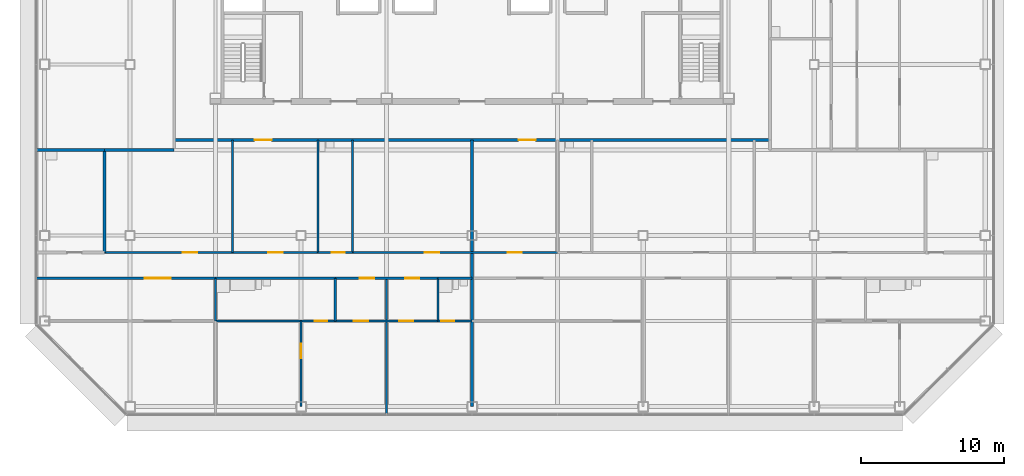
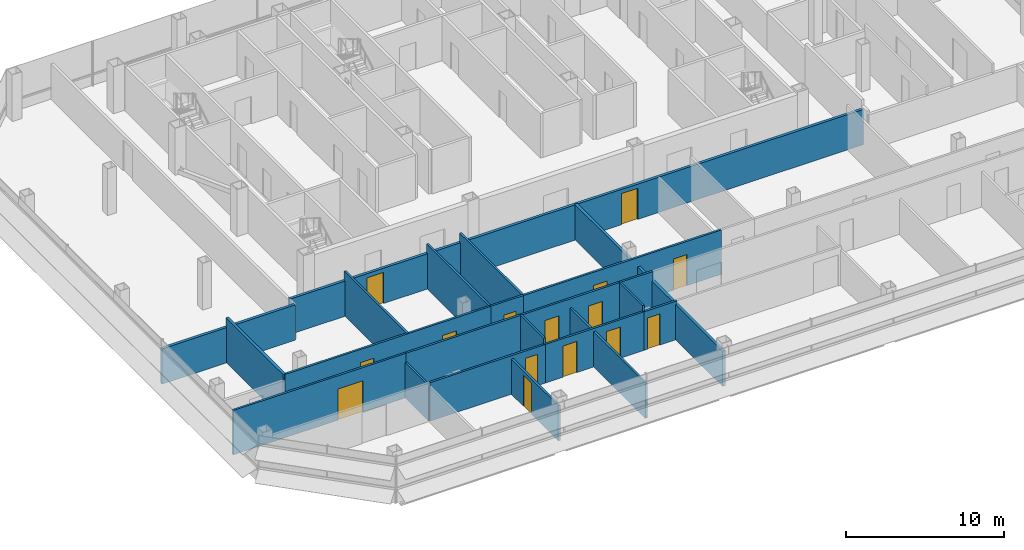
# One storey, part 19 of 26: 23 walls, 15 doors, 15 openings.
"""IFC4 building model written with IfcOpenShell, lengths in metres."""

from ifc_helpers import new_model, si_unit, direction, frame, frame_2d, origin, place, context, subcontext, project, spatial, rectangle, extrude, material, layer, layer_set, type_object, element, fill, save


model = new_model("IFC4")

# Units and contexts
model_context = context("Model", 3, precision=1e-05, world=origin(), true_north=direction((0.0, 1.0)))
body_context = subcontext(model_context, "Body", "Model", "MODEL_VIEW")
ifc_project = project(units=[si_unit("LENGTHUNIT", "METRE"), si_unit("AREAUNIT", "SQUARE_METRE"), si_unit("VOLUMEUNIT", "CUBIC_METRE"), si_unit("PLANEANGLEUNIT", "RADIAN"), si_unit("MASSUNIT", "GRAM", prefix="KILO")], contexts=[model_context])

# Site, building, storey
site_placement = place(None, origin())
site = spatial("IfcSite", under=ifc_project, at=site_placement, CompositionType="ELEMENT")
building_placement = place(site_placement, origin())
building = spatial("IfcBuilding", under=site, at=building_placement, Name="Sorahane Residences", CompositionType="ELEMENT")
storey_placement = place(building_placement, frame((0.0, 0.0, 147.39990234375)))
storey = spatial("IfcBuildingStorey", under=building, at=storey_placement, Name="L33", CompositionType="ELEMENT", Elevation=147.39990234375)

# Wall
ifc_material_1 = material(Name="Concrete blockwork C20 wall", Category="masonry")
ifc_layer_1 = layer(ifc_material_1, 0.199951171875)
ifc_layer_set_1 = layer_set([ifc_layer_1], Name="Corridor wall 200 EI 120")
wall_type_1 = type_object("IfcWallType", Name="Corridor wall 200 EI 120", PredefinedType="SOLIDWALL", material=ifc_layer_set_1)
wall_1_placement = place(storey_placement, frame((-1.800048828125, 18.0, 0.0), z_axis=(0.0, 0.0, 1.0), x_axis=(1.0, 0.0, 0.0)))
element("IfcWall", 1, at=wall_1_placement, inside=storey, type_object=wall_type_1, Name="L33 corridor wall", PredefinedType="SOLIDWALL", context=body_context, shape_type="SweptSolid", body=[
    extrude(rectangle(XDim=4.900146484375, YDim=0.199951171875, at=frame_2d((2.4501953125, 0.0))), origin(), (0.0, 0.0, 1.0), 2.72021484375),
])

# Wall, openings, doors
wall_2_placement = place(storey_placement, frame((3.10009765625, 18.699951171875, 0.0), z_axis=(0.0, 0.0, 1.0), x_axis=(1.0, 0.0, 0.0)))
wall_2 = element("IfcWall", 2, at=wall_2_placement, inside=storey, type_object=wall_type_1, Name="L33 corridor wall", PredefinedType="SOLIDWALL", context=body_context, shape_type="SweptSolid", body=[
    extrude(rectangle(XDim=41.7998046875, YDim=0.199951171875, at=frame_2d((20.89990234375, 0.0))), origin(), (0.0, 0.0, 1.0), 2.72021484375),
])
opening_1_placement = place(wall_2_placement, frame((5.639892578125, 0.0, 0.0)))
opening_1 = element("IfcOpeningElement", 3, at=opening_1_placement, cuts=wall_2, Name="Opening L33-42", PredefinedType="OPENING", context=body_context, shape_type="SweptSolid", body=[
    extrude(rectangle(XDim=1.199951171875, YDim=2.39990234375, at=frame_2d((0.60009765625, 1.199951171875))), frame((0.0, 0.10986328125, 0.0), z_axis=(0.0, -1.0, 0.0), x_axis=(1.0, 0.0, 0.0)), (0.0, 0.0, 1.0), 0.219970703125),
])
opening_2_placement = place(wall_2_placement, frame((24.159912109375, 0.0, 0.0)))
opening_2 = element("IfcOpeningElement", 4, at=opening_2_placement, cuts=wall_2, Name="Opening L33-43", PredefinedType="OPENING", context=body_context, shape_type="SweptSolid", body=[
    extrude(rectangle(XDim=1.199951171875, YDim=2.39990234375, at=frame_2d((0.60009765625, 1.199951171875))), frame((0.0, 0.10986328125, 0.0), z_axis=(0.0, -1.0, 0.0), x_axis=(1.0, 0.0, 0.0)), (0.0, 0.0, 1.0), 0.219970703125),
])
ifc_material_2 = material(Name="Timber veneered fire door", Category="wood")
door_type_1 = type_object("IfcDoorType", Name="Flat entrance door 1200x2400 FD60", OperationType="NOTDEFINED", PredefinedType="DOOR", material=ifc_material_2)
door_1_placement = place(opening_1_placement, frame((1.199951171875, 0.0, 0.0), z_axis=(0.0, 0.0, 1.0), x_axis=(-1.0, 0.0, 0.0)))
door_1 = element("IfcDoor", 5, at=door_1_placement, inside=storey, type_object=door_type_1, Name="Flat entrance door L33-42", OperationType="SINGLE_SWING_LEFT", OverallHeight=2.39990234375, OverallWidth=1.199951171875, PredefinedType="DOOR", context=body_context, shape_type="SweptSolid", body=[
    extrude(rectangle(XDim=1.199951171875, YDim=2.39990234375, at=frame_2d((0.60009765625, 1.199951171875))), frame((0.0, 0.02490234375, 0.0), z_axis=(0.0, -1.0, 0.0), x_axis=(1.0, 0.0, 0.0)), (0.0, 0.0, 1.0), 0.050048828125),
])
fill(opening_1, door_1)
door_2_placement = place(opening_2_placement, frame((1.199951171875, 0.0, 0.0), z_axis=(0.0, 0.0, 1.0), x_axis=(-1.0, 0.0, 0.0)))
door_2 = element("IfcDoor", 6, at=door_2_placement, inside=storey, type_object=door_type_1, Name="Flat entrance door L33-43", OperationType="SINGLE_SWING_RIGHT", OverallHeight=2.39990234375, OverallWidth=1.199951171875, PredefinedType="DOOR", context=body_context, shape_type="SweptSolid", body=[
    extrude(rectangle(XDim=1.199951171875, YDim=2.39990234375, at=frame_2d((0.60009765625, 1.199951171875))), frame((0.0, 0.02490234375, 0.0), z_axis=(0.0, -1.0, 0.0), x_axis=(1.0, 0.0, 0.0)), (0.0, 0.0, 1.0), 0.050048828125),
])
fill(opening_2, door_2)

# Walls
ifc_material_3 = material(Name="Concrete blockwork C20 wall", Category="masonry")
ifc_layer_2 = layer(ifc_material_3, 0.199951171875)
ifc_layer_set_2 = layer_set([ifc_layer_2], Name="Kitchen wall 200 EI 180")
wall_type_2 = type_object("IfcWallType", Name="Kitchen wall 200 EI 180", PredefinedType="SOLIDWALL", material=ifc_layer_set_2)
wall_3_placement = place(storey_placement, frame((-1.800048828125, 10.800048828125, 0.0), z_axis=(0.0, 0.0, 1.0), x_axis=(0.0, 1.0, 0.0)))
element("IfcWall", 7, at=wall_3_placement, inside=storey, type_object=wall_type_2, Name="L33 kitchen wall", PredefinedType="SOLIDWALL", context=body_context, shape_type="SweptSolid", body=[
    extrude(rectangle(XDim=7.199951171875, YDim=0.199951171875, at=frame_2d((3.60009765625, 0.0))), origin(), (0.0, 0.0, 1.0), 3.420166015625),
])
wall_4_placement = place(storey_placement, frame((-6.60009765625, 18.0, 0.0), z_axis=(0.0, 0.0, 1.0), x_axis=(1.0, 0.0, 0.0)))
element("IfcWall", 8, at=wall_4_placement, inside=storey, type_object=wall_type_2, Name="L33 kitchen wall", PredefinedType="SOLIDWALL", context=body_context, shape_type="SweptSolid", body=[
    extrude(rectangle(XDim=4.800048828125, YDim=0.199951171875, at=frame_2d((2.39990234375, 0.0))), origin(), (0.0, 0.0, 1.0), 2.72021484375),
])

# Wall, opening, door
ifc_material_4 = material(Name="Gypsum board partition on steel studs", Category="steel")
ifc_layer_3 = layer(ifc_material_4, 0.14990234375)
ifc_layer_set_3 = layer_set([ifc_layer_3], Name="Partition 150 EI 90")
wall_type_3 = type_object("IfcWallType", Name="Partition 150 EI 90", PredefinedType="PARTITIONING", material=ifc_layer_set_3)
wall_5_placement = place(storey_placement, frame((12.0, 0.0, 0.0), z_axis=(0.0, 0.0, 1.0), x_axis=(0.0, 1.0, 0.0)))
wall_5 = element("IfcWall", 9, at=wall_5_placement, inside=storey, type_object=wall_type_3, Name="L33 partition", PredefinedType="PARTITIONING", context=body_context, shape_type="SweptSolid", body=[
    extrude(rectangle(XDim=6.0, YDim=0.14990234375, at=frame_2d((3.0, 0.0))), origin(), (0.0, 0.0, 1.0), 2.72021484375),
])
opening_3_placement = place(wall_5_placement, frame((3.39990234375, 0.0, 0.0)))
opening_3 = element("IfcOpeningElement", 10, at=opening_3_placement, cuts=wall_5, Name="Opening L33-11", PredefinedType="OPENING", context=body_context, shape_type="SweptSolid", body=[
    extrude(rectangle(XDim=1.0, YDim=2.39990234375, at=frame_2d((0.5, 1.199951171875))), frame((0.0, 0.0849609375, 0.0), z_axis=(0.0, -1.0, 0.0), x_axis=(1.0, 0.0, 0.0)), (0.0, 0.0, 1.0), 0.169921875),
])
ifc_material_5 = material(Name="Timber veneered fire door", Category="wood")
door_type_2 = type_object("IfcDoorType", Name="Room door 1000x2400 FD30", OperationType="NOTDEFINED", PredefinedType="DOOR", material=ifc_material_5)
door_3_placement = place(opening_3_placement, origin())
door_3 = element("IfcDoor", 11, at=door_3_placement, inside=storey, type_object=door_type_2, Name="Room door L33-11", OperationType="SINGLE_SWING_RIGHT", OverallHeight=2.39990234375, OverallWidth=1.0, PredefinedType="DOOR", context=body_context, shape_type="SweptSolid", body=[
    extrude(rectangle(XDim=1.0, YDim=2.39990234375, at=frame_2d((0.5, 1.199951171875))), frame((0.0, 0.02490234375, 0.0), z_axis=(0.0, -1.0, 0.0), x_axis=(1.0, 0.0, 0.0)), (0.0, 0.0, 1.0), 0.050048828125),
])
fill(opening_3, door_3)

# Walls
wall_6_placement = place(storey_placement, frame((18.0, -0.60009765625, 0.0), z_axis=(0.0, 0.0, 1.0), x_axis=(0.0, 1.0, 0.0)))
element("IfcWall", 12, at=wall_6_placement, inside=storey, type_object=wall_type_3, Name="L33 partition", PredefinedType="PARTITIONING", context=body_context, shape_type="SweptSolid", body=[
    extrude(rectangle(XDim=9.60009765625, YDim=0.14990234375, at=frame_2d((4.800048828125, 0.0))), origin(), (0.0, 0.0, 1.0), 2.72021484375),
])
wall_7_placement = place(storey_placement, frame((7.199951171875, 10.800048828125, 0.0), z_axis=(0.0, 0.0, 1.0), x_axis=(0.0, 1.0, 0.0)))
element("IfcWall", 13, at=wall_7_placement, inside=storey, type_object=wall_type_3, Name="L33 partition", PredefinedType="PARTITIONING", context=body_context, shape_type="SweptSolid", body=[
    extrude(rectangle(XDim=7.89990234375, YDim=0.14990234375, at=frame_2d((3.949951171875, 0.0))), origin(), (0.0, 0.0, 1.0), 3.420166015625),
])

# Wall, openings, doors
wall_8_placement = place(storey_placement, frame((-1.800048828125, 10.800048828125, 0.0), z_axis=(0.0, 0.0, 1.0), x_axis=(1.0, 0.0, 0.0)))
wall_8 = element("IfcWall", 14, at=wall_8_placement, inside=storey, type_object=wall_type_3, Name="L33 partition", PredefinedType="PARTITIONING", context=body_context, shape_type="SweptSolid", body=[
    extrude(rectangle(XDim=15.0, YDim=0.14990234375, at=frame_2d((7.5, 0.0))), origin(), (0.0, 0.0, 1.0), 3.420166015625),
])
opening_4_placement = place(wall_8_placement, frame((11.5, 0.0, 0.0)))
opening_4 = element("IfcOpeningElement", 15, at=opening_4_placement, cuts=wall_8, Name="Opening L33-01", PredefinedType="OPENING", context=body_context, shape_type="SweptSolid", body=[
    extrude(rectangle(XDim=1.0, YDim=2.39990234375, at=frame_2d((0.5, 1.199951171875))), frame((0.0, 0.0849609375, 0.0), z_axis=(0.0, -1.0, 0.0), x_axis=(1.0, 0.0, 0.0)), (0.0, 0.0, 1.0), 0.169921875),
])
opening_5_placement = place(wall_8_placement, frame((5.5, 0.0, 0.0)))
opening_5 = element("IfcOpeningElement", 16, at=opening_5_placement, cuts=wall_8, Name="Opening L33-03", PredefinedType="OPENING", context=body_context, shape_type="SweptSolid", body=[
    extrude(rectangle(XDim=1.0, YDim=2.39990234375, at=frame_2d((0.5, 1.199951171875))), frame((0.0, 0.0849609375, 0.0), z_axis=(0.0, -1.0, 0.0), x_axis=(1.0, 0.0, 0.0)), (0.0, 0.0, 1.0), 0.169921875),
])
door_4_placement = place(opening_4_placement, frame((1.0, 0.0, 0.0), z_axis=(0.0, 0.0, 1.0), x_axis=(-1.0, 0.0, 0.0)))
door_4 = element("IfcDoor", 17, at=door_4_placement, inside=storey, type_object=door_type_2, Name="Room door L33-01", OperationType="SINGLE_SWING_LEFT", OverallHeight=2.39990234375, OverallWidth=1.0, PredefinedType="DOOR", context=body_context, shape_type="SweptSolid", body=[
    extrude(rectangle(XDim=1.0, YDim=2.39990234375, at=frame_2d((0.5, 1.199951171875))), frame((0.0, 0.02490234375, 0.0), z_axis=(0.0, -1.0, 0.0), x_axis=(1.0, 0.0, 0.0)), (0.0, 0.0, 1.0), 0.050048828125),
])
fill(opening_4, door_4)
door_5_placement = place(opening_5_placement, origin())
door_5 = element("IfcDoor", 18, at=door_5_placement, inside=storey, type_object=door_type_2, Name="Room door L33-03", OperationType="SINGLE_SWING_RIGHT", OverallHeight=2.39990234375, OverallWidth=1.0, PredefinedType="DOOR", context=body_context, shape_type="SweptSolid", body=[
    extrude(rectangle(XDim=1.0, YDim=2.39990234375, at=frame_2d((0.5, 1.199951171875))), frame((0.0, 0.02490234375, 0.0), z_axis=(0.0, -1.0, 0.0), x_axis=(1.0, 0.0, 0.0)), (0.0, 0.0, 1.0), 0.050048828125),
])
fill(opening_5, door_5)

wall_9_placement = place(storey_placement, frame((15.60009765625, 10.800048828125, 0.0), z_axis=(0.0, 0.0, 1.0), x_axis=(1.0, 0.0, 0.0)))
wall_9 = element("IfcWall", 19, at=wall_9_placement, inside=storey, type_object=wall_type_3, Name="L33 partition", PredefinedType="PARTITIONING", context=body_context, shape_type="SweptSolid", body=[
    extrude(rectangle(XDim=14.39990234375, YDim=0.14990234375, at=frame_2d((7.199951171875, 0.0))), origin(), (0.0, 0.0, 1.0), 3.420166015625),
])
opening_6_placement = place(wall_9_placement, frame((5.080078125, 0.0, 0.0)))
opening_6 = element("IfcOpeningElement", 20, at=opening_6_placement, cuts=wall_9, Name="Opening L33-05", PredefinedType="OPENING", context=body_context, shape_type="SweptSolid", body=[
    extrude(rectangle(XDim=1.0, YDim=2.39990234375, at=frame_2d((0.5, 1.199951171875))), frame((0.0, 0.0849609375, 0.0), z_axis=(0.0, -1.0, 0.0), x_axis=(1.0, 0.0, 0.0)), (0.0, 0.0, 1.0), 0.169921875),
])
opening_7_placement = place(wall_9_placement, frame((10.89990234375, 0.0, 0.0)))
opening_7 = element("IfcOpeningElement", 21, at=opening_7_placement, cuts=wall_9, Name="Opening L33-15", PredefinedType="OPENING", context=body_context, shape_type="SweptSolid", body=[
    extrude(rectangle(XDim=1.0, YDim=2.39990234375, at=frame_2d((0.5, 1.199951171875))), frame((0.0, 0.0849609375, 0.0), z_axis=(0.0, -1.0, 0.0), x_axis=(1.0, 0.0, 0.0)), (0.0, 0.0, 1.0), 0.169921875),
])
door_6_placement = place(opening_6_placement, origin())
door_6 = element("IfcDoor", 22, at=door_6_placement, inside=storey, type_object=door_type_2, Name="Room door L33-05", OperationType="SINGLE_SWING_LEFT", OverallHeight=2.39990234375, OverallWidth=1.0, PredefinedType="DOOR", context=body_context, shape_type="SweptSolid", body=[
    extrude(rectangle(XDim=1.0, YDim=2.39990234375, at=frame_2d((0.5, 1.199951171875))), frame((0.0, 0.02490234375, 0.0), z_axis=(0.0, -1.0, 0.0), x_axis=(1.0, 0.0, 0.0)), (0.0, 0.0, 1.0), 0.050048828125),
])
fill(opening_6, door_6)
door_7_placement = place(opening_7_placement, frame((1.0, 0.0, 0.0), z_axis=(0.0, 0.0, 1.0), x_axis=(-1.0, 0.0, 0.0)))
door_7 = element("IfcDoor", 23, at=door_7_placement, inside=storey, type_object=door_type_2, Name="Room door L33-15", OperationType="SINGLE_SWING_RIGHT", OverallHeight=2.39990234375, OverallWidth=1.0, PredefinedType="DOOR", context=body_context, shape_type="SweptSolid", body=[
    extrude(rectangle(XDim=1.0, YDim=2.39990234375, at=frame_2d((0.5, 1.199951171875))), frame((0.0, 0.02490234375, 0.0), z_axis=(0.0, -1.0, 0.0), x_axis=(1.0, 0.0, 0.0)), (0.0, 0.0, 1.0), 0.050048828125),
])
fill(opening_7, door_7)

wall_10_placement = place(storey_placement, frame((14.39990234375, 6.0, 0.0), z_axis=(0.0, 0.0, 1.0), x_axis=(1.0, 0.0, 0.0)))
wall_10 = element("IfcWall", 24, at=wall_10_placement, inside=storey, type_object=wall_type_3, Name="L33 partition", PredefinedType="PARTITIONING", context=body_context, shape_type="SweptSolid", body=[
    extrude(rectangle(XDim=7.2001953125, YDim=0.14990234375, at=frame_2d((3.60009765625, 0.0))), origin(), (0.0, 0.0, 1.0), 2.97021484375),
])
opening_8_placement = place(wall_10_placement, frame((1.300048828125, 0.0, 0.0)))
opening_8 = element("IfcOpeningElement", 25, at=opening_8_placement, cuts=wall_10, Name="Opening L33-10", PredefinedType="OPENING", context=body_context, shape_type="SweptSolid", body=[
    extrude(rectangle(XDim=1.0, YDim=2.39990234375, at=frame_2d((0.5, 1.199951171875))), frame((0.0, 0.0849609375, 0.0), z_axis=(0.0, -1.0, 0.0), x_axis=(1.0, 0.0, 0.0)), (0.0, 0.0, 1.0), 0.169921875),
])
opening_9_placement = place(wall_10_placement, frame((4.47998046875, 0.0, 0.0)))
opening_9 = element("IfcOpeningElement", 26, at=opening_9_placement, cuts=wall_10, Name="Opening L33-13", PredefinedType="OPENING", context=body_context, shape_type="SweptSolid", body=[
    extrude(rectangle(XDim=1.0, YDim=2.39990234375, at=frame_2d((0.5, 1.199951171875))), frame((0.0, 0.0849609375, 0.0), z_axis=(0.0, -1.0, 0.0), x_axis=(1.0, 0.0, 0.0)), (0.0, 0.0, 1.0), 0.169921875),
])
door_8_placement = place(opening_8_placement, frame((1.0, 0.0, 0.0), z_axis=(0.0, 0.0, 1.0), x_axis=(-1.0, 0.0, 0.0)))
door_8 = element("IfcDoor", 27, at=door_8_placement, inside=storey, type_object=door_type_2, Name="Room door L33-10", OperationType="SINGLE_SWING_RIGHT", OverallHeight=2.39990234375, OverallWidth=1.0, PredefinedType="DOOR", context=body_context, shape_type="SweptSolid", body=[
    extrude(rectangle(XDim=1.0, YDim=2.39990234375, at=frame_2d((0.5, 1.199951171875))), frame((0.0, 0.02490234375, 0.0), z_axis=(0.0, -1.0, 0.0), x_axis=(1.0, 0.0, 0.0)), (0.0, 0.0, 1.0), 0.050048828125),
])
fill(opening_8, door_8)
door_9_placement = place(opening_9_placement, frame((1.0, 0.0, 0.0), z_axis=(0.0, 0.0, 1.0), x_axis=(-1.0, 0.0, 0.0)))
door_9 = element("IfcDoor", 28, at=door_9_placement, inside=storey, type_object=door_type_2, Name="Room door L33-13", OperationType="SINGLE_SWING_RIGHT", OverallHeight=2.39990234375, OverallWidth=1.0, PredefinedType="DOOR", context=body_context, shape_type="SweptSolid", body=[
    extrude(rectangle(XDim=1.0, YDim=2.39990234375, at=frame_2d((0.5, 1.199951171875))), frame((0.0, 0.02490234375, 0.0), z_axis=(0.0, -1.0, 0.0), x_axis=(1.0, 0.0, 0.0)), (0.0, 0.0, 1.0), 0.050048828125),
])
fill(opening_9, door_9)

# Wall, opening, door
wall_11_placement = place(storey_placement, frame((-6.60009765625, 9.0, 0.0), z_axis=(0.0, 0.0, 1.0), x_axis=(1.0, 0.0, 0.0)))
wall_11 = element("IfcWall", 29, at=wall_11_placement, inside=storey, type_object=wall_type_3, Name="L33 partition", PredefinedType="PARTITIONING", context=body_context, shape_type="SweptSolid", body=[
    extrude(rectangle(XDim=12.60009765625, YDim=0.14990234375, at=frame_2d((6.300048828125, 0.0))), origin(), (0.0, 0.0, 1.0), 3.420166015625),
])
opening_10_placement = place(wall_11_placement, frame((7.639892578125, 0.0, 0.0)))
opening_10 = element("IfcOpeningElement", 30, at=opening_10_placement, cuts=wall_11, Name="Opening L33-06", PredefinedType="OPENING", context=body_context, shape_type="SweptSolid", body=[
    extrude(rectangle(XDim=1.800048828125, YDim=2.39990234375, at=frame_2d((0.89990234375, 1.199951171875))), frame((0.0, 0.0849609375, 0.0), z_axis=(0.0, -1.0, 0.0), x_axis=(1.0, 0.0, 0.0)), (0.0, 0.0, 1.0), 0.169921875),
])
ifc_material_6 = material(Name="Timber veneered fire door", Category="wood")
door_type_3 = type_object("IfcDoorType", Name="Double door 1800x2400 FD30", OperationType="NOTDEFINED", PredefinedType="DOOR", material=ifc_material_6)
door_10_placement = place(opening_10_placement, frame((1.800048828125, 0.0, 0.0), z_axis=(0.0, 0.0, 1.0), x_axis=(-1.0, 0.0, 0.0)))
door_10 = element("IfcDoor", 31, at=door_10_placement, inside=storey, type_object=door_type_3, Name="Double door L33-06", OperationType="SINGLE_SWING_RIGHT", OverallHeight=2.39990234375, OverallWidth=1.800048828125, PredefinedType="DOOR", context=body_context, shape_type="SweptSolid", body=[
    extrude(rectangle(XDim=1.800048828125, YDim=2.39990234375, at=frame_2d((0.89990234375, 1.199951171875))), frame((0.0, 0.02490234375, 0.0), z_axis=(0.0, -1.0, 0.0), x_axis=(1.0, 0.0, 0.0)), (0.0, 0.0, 1.0), 0.050048828125),
])
fill(opening_10, door_10)

# Wall, openings, doors
wall_12_placement = place(storey_placement, frame((14.39990234375, 9.0, 0.0), z_axis=(0.0, 0.0, 1.0), x_axis=(1.0, 0.0, 0.0)))
wall_12 = element("IfcWall", 32, at=wall_12_placement, inside=storey, type_object=wall_type_3, Name="L33 partition", PredefinedType="PARTITIONING", context=body_context, shape_type="SweptSolid", body=[
    extrude(rectangle(XDim=7.2001953125, YDim=0.14990234375, at=frame_2d((3.60009765625, 0.0))), origin(), (0.0, 0.0, 1.0), 3.420166015625),
])
opening_11_placement = place(wall_12_placement, frame((1.719970703125, 0.0, 0.0)))
opening_11 = element("IfcOpeningElement", 33, at=opening_11_placement, cuts=wall_12, Name="Opening L33-07", PredefinedType="OPENING", context=body_context, shape_type="SweptSolid", body=[
    extrude(rectangle(XDim=1.0, YDim=2.39990234375, at=frame_2d((0.5, 1.199951171875))), frame((0.0, 0.0849609375, 0.0), z_axis=(0.0, -1.0, 0.0), x_axis=(1.0, 0.0, 0.0)), (0.0, 0.0, 1.0), 0.169921875),
])
opening_12_placement = place(wall_12_placement, frame((4.89990234375, 0.0, 0.0)))
opening_12 = element("IfcOpeningElement", 34, at=opening_12_placement, cuts=wall_12, Name="Opening L33-08", PredefinedType="OPENING", context=body_context, shape_type="SweptSolid", body=[
    extrude(rectangle(XDim=1.0, YDim=2.39990234375, at=frame_2d((0.5, 1.199951171875))), frame((0.0, 0.0849609375, 0.0), z_axis=(0.0, -1.0, 0.0), x_axis=(1.0, 0.0, 0.0)), (0.0, 0.0, 1.0), 0.169921875),
])
door_11_placement = place(opening_11_placement, frame((1.0, 0.0, 0.0), z_axis=(0.0, 0.0, 1.0), x_axis=(-1.0, 0.0, 0.0)))
door_11 = element("IfcDoor", 35, at=door_11_placement, inside=storey, type_object=door_type_2, Name="Room door L33-07", OperationType="SINGLE_SWING_RIGHT", OverallHeight=2.39990234375, OverallWidth=1.0, PredefinedType="DOOR", context=body_context, shape_type="SweptSolid", body=[
    extrude(rectangle(XDim=1.0, YDim=2.39990234375, at=frame_2d((0.5, 1.199951171875))), frame((0.0, 0.02490234375, 0.0), z_axis=(0.0, -1.0, 0.0), x_axis=(1.0, 0.0, 0.0)), (0.0, 0.0, 1.0), 0.050048828125),
])
fill(opening_11, door_11)
door_12_placement = place(opening_12_placement, frame((1.0, 0.0, 0.0), z_axis=(0.0, 0.0, 1.0), x_axis=(-1.0, 0.0, 0.0)))
door_12 = element("IfcDoor", 36, at=door_12_placement, inside=storey, type_object=door_type_2, Name="Room door L33-08", OperationType="SINGLE_SWING_RIGHT", OverallHeight=2.39990234375, OverallWidth=1.0, PredefinedType="DOOR", context=body_context, shape_type="SweptSolid", body=[
    extrude(rectangle(XDim=1.0, YDim=2.39990234375, at=frame_2d((0.5, 1.199951171875))), frame((0.0, 0.02490234375, 0.0), z_axis=(0.0, -1.0, 0.0), x_axis=(1.0, 0.0, 0.0)), (0.0, 0.0, 1.0), 0.050048828125),
])
fill(opening_12, door_12)

# Walls
ifc_material_7 = material(Name="Concrete blockwork C20 wall", Category="masonry")
ifc_layer_4 = layer(ifc_material_7, 0.199951171875)
ifc_layer_set_4 = layer_set([ifc_layer_4], Name="Party wall 200 EI 120")
wall_type_4 = type_object("IfcWallType", Name="Party wall 200 EI 120", PredefinedType="SOLIDWALL", material=ifc_layer_set_4)
wall_13_placement = place(storey_placement, frame((24.0, 0.0, 0.0), z_axis=(0.0, 0.0, 1.0), x_axis=(0.0, 1.0, 0.0)))
element("IfcWall", 37, at=wall_13_placement, inside=storey, type_object=wall_type_4, Name="L33 party wall", PredefinedType="SOLIDWALL", context=body_context, shape_type="SweptSolid", body=[
    extrude(rectangle(XDim=18.699951171875, YDim=0.199951171875, at=frame_2d((9.35009765625, 0.0))), origin(), (0.0, 0.0, 1.0), 2.72021484375),
])
ifc_material_8 = material(Name="Gypsum board partition on steel studs", Category="steel")
ifc_layer_5 = layer(ifc_material_8, 0.14990234375)
ifc_layer_set_5 = layer_set([ifc_layer_5], Name="Wet wall 150 EI 90")
wall_type_5 = type_object("IfcWallType", Name="Wet wall 150 EI 90", PredefinedType="PARTITIONING", material=ifc_layer_set_5)
wall_14_placement = place(storey_placement, frame((13.199951171875, 10.800048828125, 0.0), z_axis=(0.0, 0.0, 1.0), x_axis=(0.0, 1.0, 0.0)))
element("IfcWall", 38, at=wall_14_placement, inside=storey, type_object=wall_type_5, Name="L33 wet wall", PredefinedType="PARTITIONING", context=body_context, shape_type="SweptSolid", body=[
    extrude(rectangle(XDim=7.89990234375, YDim=0.14990234375, at=frame_2d((3.949951171875, 0.0))), origin(), (0.0, 0.0, 1.0), 3.420166015625),
])
wall_15_placement = place(storey_placement, frame((14.39990234375, 6.0, 0.0), z_axis=(0.0, 0.0, 1.0), x_axis=(0.0, 1.0, 0.0)))
element("IfcWall", 39, at=wall_15_placement, inside=storey, type_object=wall_type_5, Name="L33 wet wall", PredefinedType="PARTITIONING", context=body_context, shape_type="SweptSolid", body=[
    extrude(rectangle(XDim=3.0, YDim=0.14990234375, at=frame_2d((1.5, 0.0))), origin(), (0.0, 0.0, 1.0), 3.420166015625),
])
wall_16_placement = place(storey_placement, frame((15.60009765625, 10.800048828125, 0.0), z_axis=(0.0, 0.0, 1.0), x_axis=(0.0, 1.0, 0.0)))
element("IfcWall", 40, at=wall_16_placement, inside=storey, type_object=wall_type_5, Name="L33 wet wall", PredefinedType="PARTITIONING", context=body_context, shape_type="SweptSolid", body=[
    extrude(rectangle(XDim=7.89990234375, YDim=0.14990234375, at=frame_2d((3.949951171875, 0.0))), origin(), (0.0, 0.0, 1.0), 3.420166015625),
])
wall_17_placement = place(storey_placement, frame((21.60009765625, 6.0, 0.0), z_axis=(0.0, 0.0, 1.0), x_axis=(0.0, 1.0, 0.0)))
element("IfcWall", 41, at=wall_17_placement, inside=storey, type_object=wall_type_5, Name="L33 wet wall", PredefinedType="PARTITIONING", context=body_context, shape_type="SweptSolid", body=[
    extrude(rectangle(XDim=3.0, YDim=0.14990234375, at=frame_2d((1.5, 0.0))), origin(), (0.0, 0.0, 1.0), 3.420166015625),
])
wall_18_placement = place(storey_placement, frame((6.0, 6.0, 0.0), z_axis=(0.0, 0.0, 1.0), x_axis=(0.0, 1.0, 0.0)))
element("IfcWall", 42, at=wall_18_placement, inside=storey, type_object=wall_type_5, Name="L33 wet wall", PredefinedType="PARTITIONING", context=body_context, shape_type="SweptSolid", body=[
    extrude(rectangle(XDim=3.0, YDim=0.14990234375, at=frame_2d((1.5, 0.0))), origin(), (0.0, 0.0, 1.0), 2.72021484375),
])

# Wall, opening, door
wall_19_placement = place(storey_placement, frame((13.199951171875, 10.800048828125, 0.0), z_axis=(0.0, 0.0, 1.0), x_axis=(1.0, 0.0, 0.0)))
wall_19 = element("IfcWall", 43, at=wall_19_placement, inside=storey, type_object=wall_type_5, Name="L33 wet wall", PredefinedType="PARTITIONING", context=body_context, shape_type="SweptSolid", body=[
    extrude(rectangle(XDim=2.400146484375, YDim=0.14990234375, at=frame_2d((1.2001953125, 0.0))), origin(), (0.0, 0.0, 1.0), 3.420166015625),
])
opening_13_placement = place(wall_19_placement, frame((0.949951171875, 0.0, 0.0)))
opening_13 = element("IfcOpeningElement", 44, at=opening_13_placement, cuts=wall_19, Name="Opening L33-04", PredefinedType="OPENING", context=body_context, shape_type="SweptSolid", body=[
    extrude(rectangle(XDim=0.89990234375, YDim=2.39990234375, at=frame_2d((0.449951171875, 1.199951171875))), frame((0.0, 0.0849609375, 0.0), z_axis=(0.0, -1.0, 0.0), x_axis=(1.0, 0.0, 0.0)), (0.0, 0.0, 1.0), 0.169921875),
])
ifc_material_9 = material(Name="Timber veneered fire door", Category="wood")
door_type_4 = type_object("IfcDoorType", Name="Bathroom door 900x2400 FD30", OperationType="NOTDEFINED", PredefinedType="DOOR", material=ifc_material_9)
door_13_placement = place(opening_13_placement, frame((0.89990234375, 0.0, 0.0), z_axis=(0.0, 0.0, 1.0), x_axis=(-1.0, 0.0, 0.0)))
door_13 = element("IfcDoor", 45, at=door_13_placement, inside=storey, type_object=door_type_4, Name="Bathroom door L33-04", OperationType="SINGLE_SWING_RIGHT", OverallHeight=2.39990234375, OverallWidth=0.89990234375, PredefinedType="DOOR", context=body_context, shape_type="SweptSolid", body=[
    extrude(rectangle(XDim=0.89990234375, YDim=2.39990234375, at=frame_2d((0.449951171875, 1.199951171875))), frame((0.0, 0.02490234375, 0.0), z_axis=(0.0, -1.0, 0.0), x_axis=(1.0, 0.0, 0.0)), (0.0, 0.0, 1.0), 0.050048828125),
])
fill(opening_13, door_13)

wall_20_placement = place(storey_placement, frame((6.0, 6.0, 0.0), z_axis=(0.0, 0.0, 1.0), x_axis=(1.0, 0.0, 0.0)))
wall_20 = element("IfcWall", 46, at=wall_20_placement, inside=storey, type_object=wall_type_5, Name="L33 wet wall", PredefinedType="PARTITIONING", context=body_context, shape_type="SweptSolid", body=[
    extrude(rectangle(XDim=8.39990234375, YDim=0.14990234375, at=frame_2d((4.199951171875, 0.0))), origin(), (0.0, 0.0, 1.0), 2.97021484375),
])
opening_14_placement = place(wall_20_placement, frame((6.949951171875, 0.0, 0.0)))
opening_14 = element("IfcOpeningElement", 47, at=opening_14_placement, cuts=wall_20, Name="Opening L33-12", PredefinedType="OPENING", context=body_context, shape_type="SweptSolid", body=[
    extrude(rectangle(XDim=0.89990234375, YDim=2.39990234375, at=frame_2d((0.449951171875, 1.199951171875))), frame((0.0, 0.0849609375, 0.0), z_axis=(0.0, -1.0, 0.0), x_axis=(1.0, 0.0, 0.0)), (0.0, 0.0, 1.0), 0.169921875),
])
door_14_placement = place(opening_14_placement, frame((0.89990234375, 0.0, 0.0), z_axis=(0.0, 0.0, 1.0), x_axis=(-1.0, 0.0, 0.0)))
door_14 = element("IfcDoor", 48, at=door_14_placement, inside=storey, type_object=door_type_4, Name="Bathroom door L33-12", OperationType="SINGLE_SWING_LEFT", OverallHeight=2.39990234375, OverallWidth=0.89990234375, PredefinedType="DOOR", context=body_context, shape_type="SweptSolid", body=[
    extrude(rectangle(XDim=0.89990234375, YDim=2.39990234375, at=frame_2d((0.449951171875, 1.199951171875))), frame((0.0, 0.02490234375, 0.0), z_axis=(0.0, -1.0, 0.0), x_axis=(1.0, 0.0, 0.0)), (0.0, 0.0, 1.0), 0.050048828125),
])
fill(opening_14, door_14)

wall_21_placement = place(storey_placement, frame((21.60009765625, 6.0, 0.0), z_axis=(0.0, 0.0, 1.0), x_axis=(1.0, 0.0, 0.0)))
wall_21 = element("IfcWall", 49, at=wall_21_placement, inside=storey, type_object=wall_type_5, Name="L33 wet wall", PredefinedType="PARTITIONING", context=body_context, shape_type="SweptSolid", body=[
    extrude(rectangle(XDim=2.39990234375, YDim=0.14990234375, at=frame_2d((1.199951171875, 0.0))), origin(), (0.0, 0.0, 1.0), 2.97021484375),
])
opening_15_placement = place(wall_21_placement, frame((0.25, 0.0, 0.0)))
opening_15 = element("IfcOpeningElement", 50, at=opening_15_placement, cuts=wall_21, Name="Opening L33-14", PredefinedType="OPENING", context=body_context, shape_type="SweptSolid", body=[
    extrude(rectangle(XDim=0.89990234375, YDim=2.39990234375, at=frame_2d((0.449951171875, 1.199951171875))), frame((0.0, 0.0849609375, 0.0), z_axis=(0.0, -1.0, 0.0), x_axis=(1.0, 0.0, 0.0)), (0.0, 0.0, 1.0), 0.169921875),
])
door_15_placement = place(opening_15_placement, frame((0.89990234375, 0.0, 0.0), z_axis=(0.0, 0.0, 1.0), x_axis=(-1.0, 0.0, 0.0)))
door_15 = element("IfcDoor", 51, at=door_15_placement, inside=storey, type_object=door_type_4, Name="Bathroom door L33-14", OperationType="SINGLE_SWING_LEFT", OverallHeight=2.39990234375, OverallWidth=0.89990234375, PredefinedType="DOOR", context=body_context, shape_type="SweptSolid", body=[
    extrude(rectangle(XDim=0.89990234375, YDim=2.39990234375, at=frame_2d((0.449951171875, 1.199951171875))), frame((0.0, 0.02490234375, 0.0), z_axis=(0.0, -1.0, 0.0), x_axis=(1.0, 0.0, 0.0)), (0.0, 0.0, 1.0), 0.050048828125),
])
fill(opening_15, door_15)

# Walls
wall_22_placement = place(storey_placement, frame((6.0, 9.0, 0.0), z_axis=(0.0, 0.0, 1.0), x_axis=(1.0, 0.0, 0.0)))
element("IfcWall", 52, at=wall_22_placement, inside=storey, type_object=wall_type_5, Name="L33 wet wall", PredefinedType="PARTITIONING", context=body_context, shape_type="SweptSolid", body=[
    extrude(rectangle(XDim=8.39990234375, YDim=0.14990234375, at=frame_2d((4.199951171875, 0.0))), origin(), (0.0, 0.0, 1.0), 3.420166015625),
])
wall_23_placement = place(storey_placement, frame((21.60009765625, 9.0, 0.0), z_axis=(0.0, 0.0, 1.0), x_axis=(1.0, 0.0, 0.0)))
element("IfcWall", 53, at=wall_23_placement, inside=storey, type_object=wall_type_5, Name="L33 wet wall", PredefinedType="PARTITIONING", context=body_context, shape_type="SweptSolid", body=[
    extrude(rectangle(XDim=2.39990234375, YDim=0.14990234375, at=frame_2d((1.199951171875, 0.0))), origin(), (0.0, 0.0, 1.0), 3.420166015625),
])

save(model, "model.ifc")
